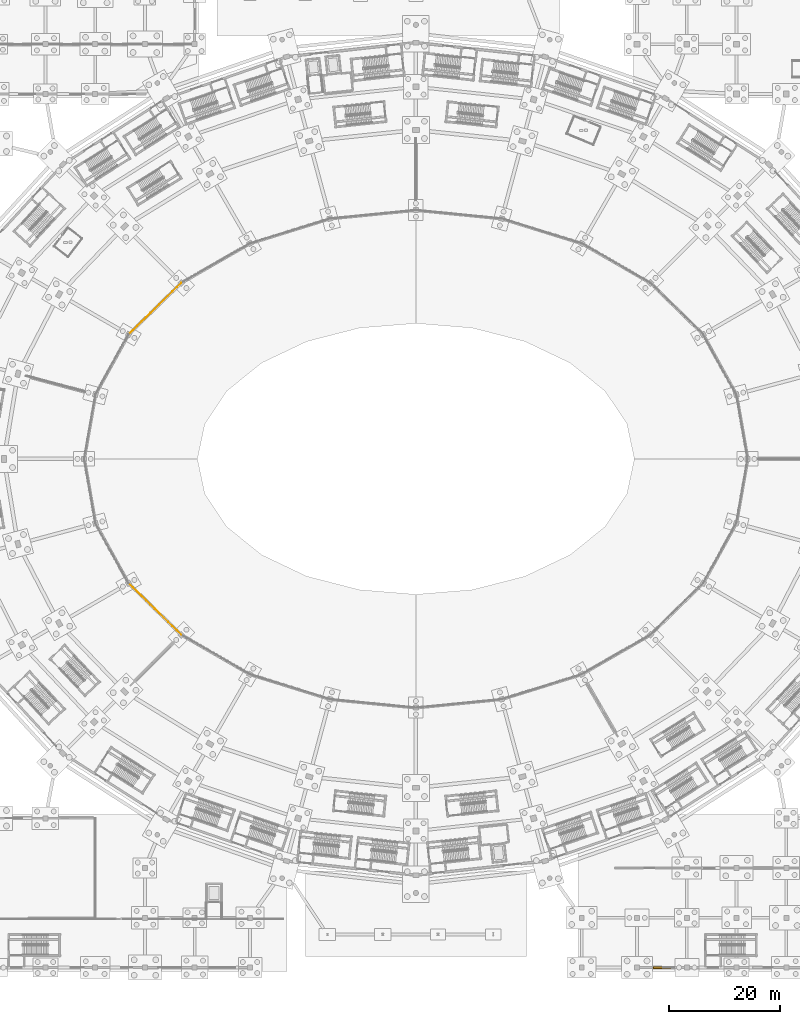
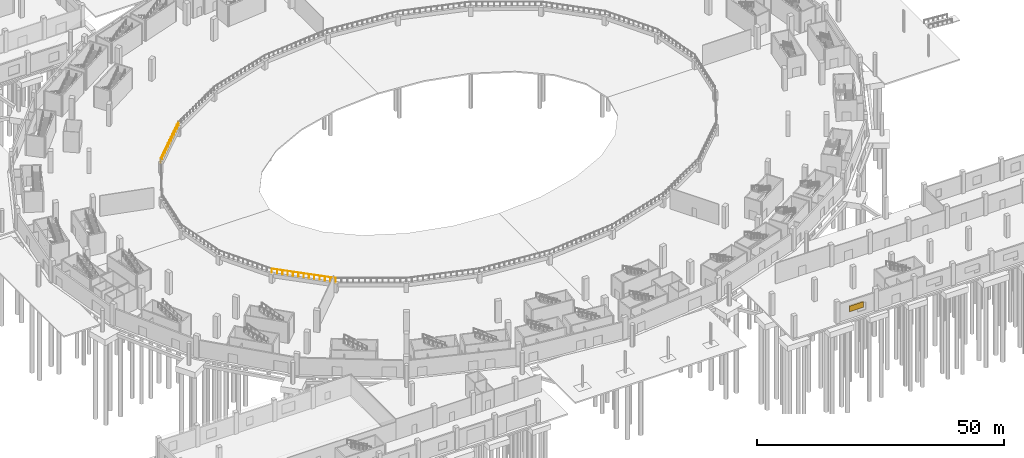
# One storey, part 70 of 103: 2 railings, 1 shading device.
"""IFC4 building model written with IfcOpenShell, lengths in metres."""

from ifc_helpers import new_model, si_unit, direction, frame, origin, origin_2d, place, context, subcontext, project, spatial, rectangle, circle, extrude, material, layer, layer_set, type_object, element, save


model = new_model("IFC4")

# Units and contexts
model_context = context("Model", 3, precision=1e-05, world=origin(), true_north=direction((0.0, 1.0)))
body_context = subcontext(model_context, "Body", "Model", "MODEL_VIEW")
ifc_project = project(units=[si_unit("LENGTHUNIT", "METRE"), si_unit("AREAUNIT", "SQUARE_METRE"), si_unit("VOLUMEUNIT", "CUBIC_METRE"), si_unit("PLANEANGLEUNIT", "RADIAN"), si_unit("MASSUNIT", "GRAM", prefix="KILO")], contexts=[model_context])

# Site, building, storey
site_placement = place(None, origin())
site = spatial("IfcSite", under=ifc_project, at=site_placement, CompositionType="ELEMENT")
building_placement = place(site_placement, origin())
building = spatial("IfcBuilding", under=site, at=building_placement, Name="Zevraka Park Crest Stadium", CompositionType="ELEMENT")
storey_placement = place(building_placement, origin())
storey = spatial("IfcBuildingStorey", under=building, at=storey_placement, Name="L00", CompositionType="ELEMENT", Elevation=0.0)

# Railings
ifc_material_1 = material(Name="Laminated glass and stainless steel sightline bowl guard", Category="steel")
railing_type = type_object("IfcRailingType", Name="GR02", PredefinedType="GUARDRAIL", material=ifc_material_1)
railing_1_placement = place(storey_placement, frame((69.573974609375, 123.820068359375, 2.199951171875)))
element("IfcRailing", 1, at=railing_1_placement, inside=storey, type_object=railing_type, Name="Lower Tier Pitch Sightline Guard GR02 09", PredefinedType="GUARDRAIL", context=body_context, shape_type="SweptSolid", body=[
    extrude(circle(Radius=0.02392578125, at=origin_2d()), frame((0.0, 0.0, 1.09619140625), z_axis=(-0.715153296212, -0.698967640823, 0.0), x_axis=(0.698967640823, -0.715153296212, 0.0)), (0.0, 0.0, 1.0), 13.333984375),
    extrude(circle(Radius=0.02099609375, at=origin_2d()), origin(), (0.0, 0.0, 1.0), 1.072021484375),
    extrude(circle(Radius=0.02099609375, at=origin_2d()), frame((-0.794677734375, -0.776611328125, 0.0)), (0.0, 0.0, 1.0), 1.072021484375),
    extrude(circle(Radius=0.02099609375, at=origin_2d()), frame((-1.58935546875, -1.55322265625, 0.0)), (0.0, 0.0, 1.0), 1.072021484375),
    extrude(circle(Radius=0.02099609375, at=origin_2d()), frame((-2.384033203125, -2.330078125, 0.0)), (0.0, 0.0, 1.0), 1.072021484375),
    extrude(circle(Radius=0.02099609375, at=origin_2d()), frame((-3.1787109375, -3.106689453125, 0.0)), (0.0, 0.0, 1.0), 1.072021484375),
    extrude(circle(Radius=0.02099609375, at=origin_2d()), frame((-3.973388671875, -3.88330078125, 0.0)), (0.0, 0.0, 1.0), 1.072021484375),
    extrude(circle(Radius=0.02099609375, at=origin_2d()), frame((-4.76806640625, -4.66015625, 0.0)), (0.0, 0.0, 1.0), 1.072021484375),
    extrude(circle(Radius=0.02099609375, at=origin_2d()), frame((-5.5625, -5.436767578125, 0.0)), (0.0, 0.0, 1.0), 1.072021484375),
    extrude(circle(Radius=0.02099609375, at=origin_2d()), frame((-6.357177734375, -6.21337890625, 0.0)), (0.0, 0.0, 1.0), 1.072021484375),
    extrude(circle(Radius=0.02099609375, at=origin_2d()), frame((-7.15185546875, -6.989990234375, 0.0)), (0.0, 0.0, 1.0), 1.072021484375),
    extrude(circle(Radius=0.02099609375, at=origin_2d()), frame((-7.946533203125, -7.7666015625, 0.0)), (0.0, 0.0, 1.0), 1.072021484375),
    extrude(circle(Radius=0.02099609375, at=origin_2d()), frame((-8.7412109375, -8.54345703125, 0.0)), (0.0, 0.0, 1.0), 1.072021484375),
    extrude(circle(Radius=0.02099609375, at=origin_2d()), frame((-9.535888671875, -9.320068359375, 0.0)), (0.0, 0.0, 1.0), 1.072021484375),
])
railing_2_placement = place(storey_placement, frame((60.0380859375, 69.5, 2.199951171875)))
element("IfcRailing", 2, at=railing_2_placement, inside=storey, type_object=railing_type, Name="Lower Tier Pitch Sightline Guard GR02 14", PredefinedType="GUARDRAIL", context=body_context, shape_type="SweptSolid", body=[
    extrude(circle(Radius=0.02392578125, at=origin_2d()), frame((0.0, 0.0, 1.09619140625), z_axis=(0.715153296212, -0.698967640823, 0.0), x_axis=(0.698967640823, 0.715153296212, 0.0)), (0.0, 0.0, 1.0), 13.333984375),
    extrude(circle(Radius=0.02099609375, at=origin_2d()), origin(), (0.0, 0.0, 1.0), 1.072021484375),
    extrude(circle(Radius=0.02099609375, at=origin_2d()), frame((0.794677734375, -0.776611328125, 0.0)), (0.0, 0.0, 1.0), 1.072021484375),
    extrude(circle(Radius=0.02099609375, at=origin_2d()), frame((1.58935546875, -1.55322265625, 0.0)), (0.0, 0.0, 1.0), 1.072021484375),
    extrude(circle(Radius=0.02099609375, at=origin_2d()), frame((2.384033203125, -2.330078125, 0.0)), (0.0, 0.0, 1.0), 1.072021484375),
    extrude(circle(Radius=0.02099609375, at=origin_2d()), frame((3.1787109375, -3.106689453125, 0.0)), (0.0, 0.0, 1.0), 1.072021484375),
    extrude(circle(Radius=0.02099609375, at=origin_2d()), frame((3.973388671875, -3.88330078125, 0.0)), (0.0, 0.0, 1.0), 1.072021484375),
    extrude(circle(Radius=0.02099609375, at=origin_2d()), frame((4.76806640625, -4.66015625, 0.0)), (0.0, 0.0, 1.0), 1.072021484375),
    extrude(circle(Radius=0.02099609375, at=origin_2d()), frame((5.5625, -5.436767578125, 0.0)), (0.0, 0.0, 1.0), 1.072021484375),
    extrude(circle(Radius=0.02099609375, at=origin_2d()), frame((6.357177734375, -6.21337890625, 0.0)), (0.0, 0.0, 1.0), 1.072021484375),
    extrude(circle(Radius=0.02099609375, at=origin_2d()), frame((7.15185546875, -6.989990234375, 0.0)), (0.0, 0.0, 1.0), 1.072021484375),
    extrude(circle(Radius=0.02099609375, at=origin_2d()), frame((7.946533203125, -7.7666015625, 0.0)), (0.0, 0.0, 1.0), 1.072021484375),
    extrude(circle(Radius=0.02099609375, at=origin_2d()), frame((8.7412109375, -8.54345703125, 0.0)), (0.0, 0.0, 1.0), 1.072021484375),
    extrude(circle(Radius=0.02099609375, at=origin_2d()), frame((9.535888671875, -9.320068359375, 0.0)), (0.0, 0.0, 1.0), 1.072021484375),
])

# Shading device
ifc_material_2 = material(Name="Terracotta and bronze acoustic ventilation louvre", Category="masonry")
ifc_layer = layer(ifc_material_2, 0.080078125)
ifc_layer_set = layer_set([ifc_layer], Name="Terracotta and bronze acoustic ventilation louvre")
shading_device_type = type_object("IfcShadingDeviceType", Name="LVR01", PredefinedType="USERDEFINED", material=ifc_layer_set)
shading_device_placement = place(storey_placement, frame((156.5, 0.0, 1.699951171875), z_axis=(0.0, 0.0, 1.0), x_axis=(-1.0, 0.0, 0.0)))
element("IfcShadingDevice", 3, at=shading_device_placement, inside=storey, type_object=shading_device_type, Name="Plant Ventilation Louvre LVR01 L00-8", ObjectType="LOUVRE", PredefinedType="USERDEFINED", context=body_context, shape_type="SweptSolid", body=[
    extrude(rectangle(XDim=3.199951171875, YDim=0.360107421875, at=origin_2d()), origin(), (0.0, 0.0, 1.0), 1.39990234375),
])

save(model, "model.ifc")
